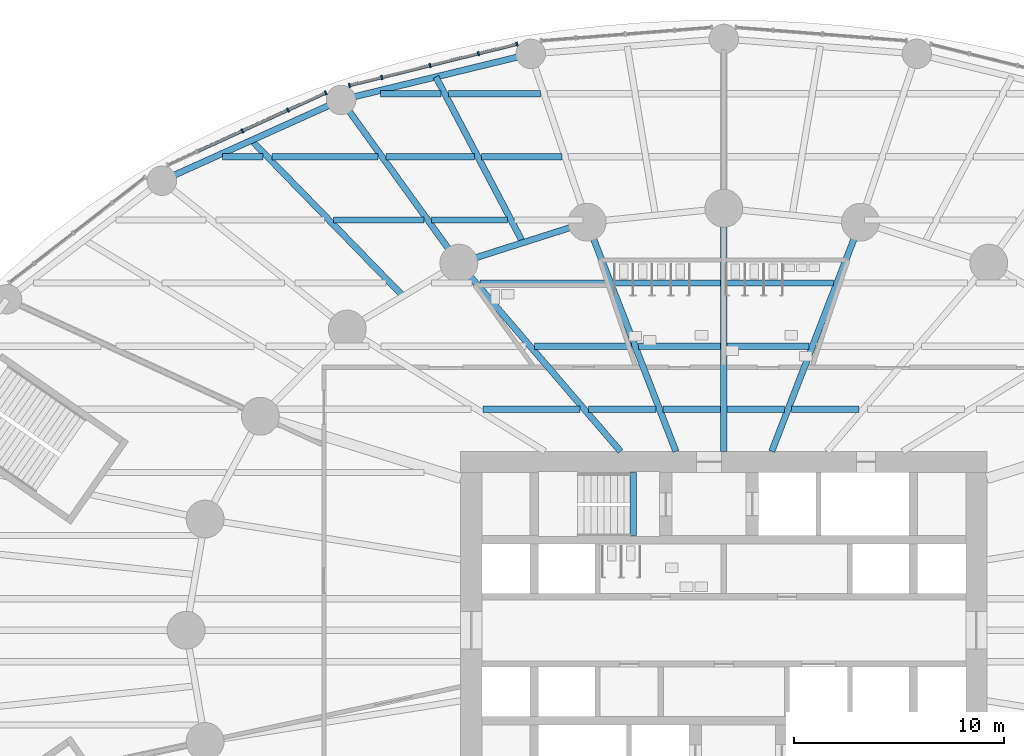
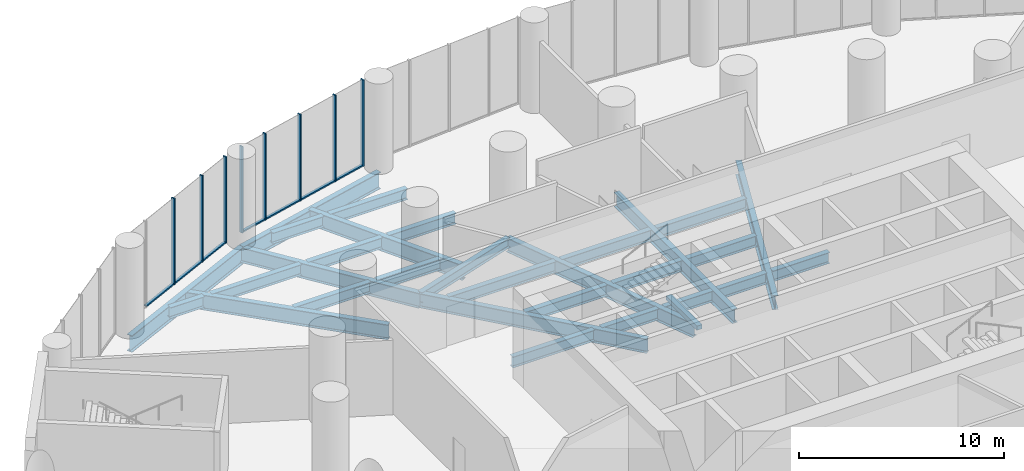
# One storey, part 8 of 21: 30 beams, 15 members, 2 elements without a shape of their own.
"""IFC4 building model written with IfcOpenShell, lengths in metres."""

from ifc_helpers import new_model, si_unit, direction, frame, origin, origin_2d, place, context, subcontext, project, spatial, rectangle, i_section, extrude, material, material_profile, profile_set, type_object, element, aggregate, save


model = new_model("IFC4")

# Units and contexts
model_context = context("Model", 3, precision=1e-05, world=origin(), true_north=direction((0.0, 1.0)))
body_context = subcontext(model_context, "Body", "Model", "MODEL_VIEW")
ifc_project = project(units=[si_unit("LENGTHUNIT", "METRE"), si_unit("AREAUNIT", "SQUARE_METRE"), si_unit("VOLUMEUNIT", "CUBIC_METRE"), si_unit("PLANEANGLEUNIT", "RADIAN"), si_unit("MASSUNIT", "GRAM", prefix="KILO")], contexts=[model_context])

# Site, building, storey
site_placement = place(None, origin())
site = spatial("IfcSite", under=ifc_project, at=site_placement, CompositionType="ELEMENT")
building_placement = place(site_placement, origin())
building = spatial("IfcBuilding", under=site, at=building_placement, Name="Hankou Lantern Tower", CompositionType="ELEMENT")
storey_placement = place(building_placement, frame((0.0, 0.0, 13.800048828125)))
storey = spatial("IfcBuildingStorey", under=building, at=storey_placement, Name="L02", CompositionType="ELEMENT", Elevation=13.800048828125)

# Beams
ifc_material_1 = material(Name="Steel Q355B", Category="steel")
ifc_material_profile_1 = material_profile(ifc_material_1, i_section(OverallWidth=0.300048828125, OverallDepth=0.587890625, WebThickness=0.011962890625, FlangeThickness=0.02001953125, FilletRadius=0.01806640625, at=origin_2d()), Name="HM588x300x12x20")
ifc_profile_set_1 = profile_set([ifc_material_profile_1], Name="Steel Q355B")
beam_type_1 = type_object("IfcBeamType", Name="EB16 RING BEAM HM588x300x12x20", PredefinedType="SPANDREL", material=ifc_profile_set_1)
beam_1_placement = place(storey_placement, frame((-6.494873046875, 19.391357421875, -0.5439453125), z_axis=(-0.952690479428, -0.303942182671, 0.0), x_axis=(0.303942182671, -0.952690479428, 0.0)))
element("IfcBeam", 1, at=beam_1_placement, inside=storey, type_object=beam_type_1, Name="Ring beam R08-R09 L02", PredefinedType="SPANDREL", context=body_context, shape_type="SweptSolid", body=[
    extrude(i_section(OverallWidth=0.300048828125, OverallDepth=0.587890625, WebThickness=0.011962890625, FlangeThickness=0.02001953125, FilletRadius=0.01806640625, at=origin_2d()), origin(), (0.0, 0.0, 1.0), 6.398681640625),
])
ifc_material_2 = material(Name="Concrete C40", Category="concrete")
ifc_material_profile_2 = material_profile(ifc_material_2, rectangle(XDim=0.300048828125, YDim=0.25, at=origin_2d()), Name="RC 300x250")
ifc_profile_set_2 = profile_set([ifc_material_profile_2], Name="Concrete C40")
beam_type_2 = type_object("IfcBeamType", Name="LB1 STAIR LANDING BEAM RC 300x250", PredefinedType="BEAM", material=ifc_profile_set_2)
beam_2_placement = place(storey_placement, frame((-4.300048828125, 4.5, 2.574951171875), z_axis=(0.0, 1.0, 0.0), x_axis=(-1.0, 0.0, 0.0)))
element("IfcBeam", 2, at=beam_2_placement, inside=storey, type_object=beam_type_2, Name="Stair STA landing beam L02", PredefinedType="BEAM", context=body_context, shape_type="SweptSolid", body=[
    extrude(rectangle(XDim=0.300048828125, YDim=0.25, at=origin_2d()), origin(), (0.0, 0.0, 1.0), 3.0),
])

# Curtain wall, members
ifc_material_3 = material(Name="Glass, dark grey tinted laminated", Category="glass")
curtain_wall_type = type_object("IfcCurtainWallType", Name="CWP PODIUM CURTAIN WALL", PredefinedType="USERDEFINED", material=ifc_material_3)
curtain_wall_1_placement = place(storey_placement, origin())
curtain_wall_1 = element("IfcCurtainWall", 3, at=curtain_wall_1_placement, inside=storey, type_object=curtain_wall_type, Name="CWP L02 PC06", ObjectType="PODIUM GLAZING", PredefinedType="USERDEFINED")
ifc_material_4 = material(Name="Aluminium, black anodised", Category="aluminium")
ifc_material_profile_3 = material_profile(ifc_material_4, rectangle(XDim=0.080078125, YDim=0.199951171875, at=origin_2d()), Name="MU2 80X200")
ifc_profile_set_3 = profile_set([ifc_material_profile_3], Name="Aluminium, black anodised")
member_type_1 = type_object("IfcMemberType", Name="MU2 PODIUM MULLION 80X200", PredefinedType="MULLION", material=ifc_profile_set_3)
member_1_placement = place(storey_placement, frame((-9.83056640625, 27.852294921875, 0.0), z_axis=(0.0, 0.0, 1.0), x_axis=(-0.970960955091, -0.239238006364, 0.0)))
member_1 = element("IfcMember", 4, at=member_1_placement, type_object=member_type_1, Name="CWP mullion 1", PredefinedType="MULLION", context=body_context, shape_type="SweptSolid", body=[
    extrude(rectangle(XDim=0.080078125, YDim=0.199951171875, at=origin_2d()), origin(), (0.0, 0.0, 1.0), 5.14990234375),
])
member_2_placement = place(storey_placement, frame((-11.662841796875, 27.40087890625, 0.0), z_axis=(0.0, 0.0, 1.0), x_axis=(-0.970960955091, -0.239238006364, 0.0)))
member_2 = element("IfcMember", 5, at=member_2_placement, type_object=member_type_1, Name="CWP mullion 2", PredefinedType="MULLION", context=body_context, shape_type="SweptSolid", body=[
    extrude(rectangle(XDim=0.080078125, YDim=0.199951171875, at=origin_2d()), origin(), (0.0, 0.0, 1.0), 5.14990234375),
])
member_3_placement = place(storey_placement, frame((-13.95849609375, 26.835205078125, 0.0), z_axis=(0.0, 0.0, 1.0), x_axis=(-0.970960955091, -0.239238006364, 0.0)))
member_3 = element("IfcMember", 6, at=member_3_placement, type_object=member_type_1, Name="CWP mullion 3", PredefinedType="MULLION", context=body_context, shape_type="SweptSolid", body=[
    extrude(rectangle(XDim=0.080078125, YDim=0.199951171875, at=origin_2d()), origin(), (0.0, 0.0, 1.0), 5.14990234375),
])
member_4_placement = place(storey_placement, frame((-16.25439453125, 26.26953125, 0.0), z_axis=(0.0, 0.0, 1.0), x_axis=(-0.970960955091, -0.239238006364, 0.0)))
member_4 = element("IfcMember", 7, at=member_4_placement, type_object=member_type_1, Name="CWP mullion 4", PredefinedType="MULLION", context=body_context, shape_type="SweptSolid", body=[
    extrude(rectangle(XDim=0.080078125, YDim=0.199951171875, at=origin_2d()), origin(), (0.0, 0.0, 1.0), 5.14990234375),
])
member_5_placement = place(storey_placement, frame((-17.785888671875, 25.892333984375, 0.0), z_axis=(0.0, 0.0, 1.0), x_axis=(-0.970960955091, -0.239238006364, 0.0)))
member_5 = element("IfcMember", 8, at=member_5_placement, type_object=member_type_1, Name="CWP mullion 5", PredefinedType="MULLION", context=body_context, shape_type="SweptSolid", body=[
    extrude(rectangle(XDim=0.080078125, YDim=0.199951171875, at=origin_2d()), origin(), (0.0, 0.0, 1.0), 5.14990234375),
])

curtain_wall_2_placement = place(storey_placement, origin())
curtain_wall_2 = element("IfcCurtainWall", 9, at=curtain_wall_2_placement, inside=storey, type_object=curtain_wall_type, Name="CWP L02 PC07", ObjectType="PODIUM GLAZING", PredefinedType="USERDEFINED")
member_6_placement = place(storey_placement, frame((-18.913818359375, 25.537841796875, 0.0), z_axis=(0.0, 0.0, 1.0), x_axis=(-0.909669790944, -0.41533224224, 0.0)))
member_6 = element("IfcMember", 10, at=member_6_placement, type_object=member_type_1, Name="CWP mullion 1", PredefinedType="MULLION", context=body_context, shape_type="SweptSolid", body=[
    extrude(rectangle(XDim=0.080078125, YDim=0.199951171875, at=origin_2d()), origin(), (0.0, 0.0, 1.0), 5.14990234375),
])
member_7_placement = place(storey_placement, frame((-20.711669921875, 24.717041015625, 0.0), z_axis=(0.0, 0.0, 1.0), x_axis=(-0.909669790944, -0.41533224224, 0.0)))
member_7 = element("IfcMember", 11, at=member_7_placement, type_object=member_type_1, Name="CWP mullion 2", PredefinedType="MULLION", context=body_context, shape_type="SweptSolid", body=[
    extrude(rectangle(XDim=0.080078125, YDim=0.199951171875, at=origin_2d()), origin(), (0.0, 0.0, 1.0), 5.14990234375),
])
member_8_placement = place(storey_placement, frame((-22.873046875, 23.730224609375, 0.0), z_axis=(0.0, 0.0, 1.0), x_axis=(-0.909669790944, -0.41533224224, 0.0)))
member_8 = element("IfcMember", 12, at=member_8_placement, type_object=member_type_1, Name="CWP mullion 3", PredefinedType="MULLION", context=body_context, shape_type="SweptSolid", body=[
    extrude(rectangle(XDim=0.080078125, YDim=0.199951171875, at=origin_2d()), origin(), (0.0, 0.0, 1.0), 5.14990234375),
])

# Beams
ifc_material_5 = material(Name="Steel Q355B", Category="steel")
ifc_material_profile_4 = material_profile(ifc_material_5, i_section(OverallWidth=0.300048828125, OverallDepth=0.89990234375, WebThickness=0.01611328125, FlangeThickness=0.028076171875, FilletRadius=0.01806640625, at=origin_2d()), Name="HN900x300x16x28")
ifc_profile_set_4 = profile_set([ifc_material_profile_4], Name="Steel Q355B")
beam_type_3 = type_object("IfcBeamType", Name="PB13 PODIUM RADIAL BEAM HN900x300x16x28", PredefinedType="BEAM", material=ifc_profile_set_4)
beam_3_placement = place(storey_placement, frame((-12.5908203125, 17.446533203125, -0.699951171875), z_axis=(-0.585207097055, 0.810883871807, 0.0), x_axis=(-0.810883871807, -0.585207097055, 0.0)))
element("IfcBeam", 13, at=beam_3_placement, inside=storey, type_object=beam_type_3, Name="Podium radial beam R09 L02", PredefinedType="BEAM", context=body_context, shape_type="SweptSolid", body=[
    extrude(i_section(OverallWidth=0.300048828125, OverallDepth=0.89990234375, WebThickness=0.01611328125, FlangeThickness=0.028076171875, FilletRadius=0.01806640625, at=origin_2d()), origin(), (0.0, 0.0, 1.0), 9.56103515625),
])
ifc_material_6 = material(Name="Steel Q355B", Category="steel")
ifc_material_profile_5 = material_profile(ifc_material_6, i_section(OverallWidth=0.300048828125, OverallDepth=1.0, WebThickness=0.01904296875, FlangeThickness=0.035888671875, FilletRadius=0.01806640625, at=origin_2d()), Name="HN1000x300x19x36")
ifc_profile_set_5 = profile_set([ifc_material_profile_5], Name="Steel Q355B")
beam_type_4 = type_object("IfcBeamType", Name="PR22 PODIUM RING BEAM HN1000x300x19x36", PredefinedType="BEAM", material=ifc_profile_set_5)
beam_4_placement = place(storey_placement, frame((-9.17431640625, 27.39111328125, -0.75), z_axis=(-0.971677242441, -0.23631194748, 0.0), x_axis=(0.23631194748, -0.971677242441, 0.0)))
element("IfcBeam", 14, at=beam_4_placement, inside=storey, type_object=beam_type_4, Name="Podium ring beam R08-R09 L02", PredefinedType="BEAM", context=body_context, shape_type="SweptSolid", body=[
    extrude(i_section(OverallWidth=0.300048828125, OverallDepth=1.0, WebThickness=0.01904296875, FlangeThickness=0.035888671875, FilletRadius=0.01806640625, at=origin_2d()), origin(), (0.0, 0.0, 1.0), 9.2744140625),
])
beam_5_placement = place(storey_placement, frame((-18.18603515625, 25.199462890625, -0.75), z_axis=(-0.911695429723, -0.410866697874, 0.0), x_axis=(0.410866697874, -0.911695429723, 0.0)))
element("IfcBeam", 15, at=beam_5_placement, inside=storey, type_object=beam_type_4, Name="Podium ring beam R09-R10 L02", PredefinedType="BEAM", context=body_context, shape_type="SweptSolid", body=[
    extrude(i_section(OverallWidth=0.300048828125, OverallDepth=1.0, WebThickness=0.01904296875, FlangeThickness=0.035888671875, FilletRadius=0.01806640625, at=origin_2d()), origin(), (0.0, 0.0, 1.0), 9.341064453125),
])
ifc_material_7 = material(Name="Steel Q355B", Category="steel")
ifc_material_profile_6 = material_profile(ifc_material_7, i_section(OverallWidth=0.300048828125, OverallDepth=0.89990234375, WebThickness=0.01611328125, FlangeThickness=0.028076171875, FilletRadius=0.01806640625, at=origin_2d()), Name="HN900x300x16x28")
ifc_profile_set_6 = profile_set([ifc_material_profile_6], Name="Steel Q355B")
beam_type_5 = type_object("IfcBeamType", Name="PS13 PODIUM SECONDARY BEAM HN900x300x16x28", PredefinedType="JOIST", material=ifc_profile_set_6)
beam_6_placement = place(storey_placement, frame((-9.54296875, 18.4189453125, -0.699951171875), z_axis=(-0.465026961303, 0.88529651827, 0.0), x_axis=(-0.88529651827, -0.465026961303, 0.0)))
element("IfcBeam", 16, at=beam_6_placement, inside=storey, type_object=beam_type_5, Name="Podium secondary beam bay R08 L02", PredefinedType="JOIST", context=body_context, shape_type="SweptSolid", body=[
    extrude(i_section(OverallWidth=0.300048828125, OverallDepth=0.89990234375, WebThickness=0.01611328125, FlangeThickness=0.028076171875, FilletRadius=0.01806640625, at=origin_2d()), origin(), (0.0, 0.0, 1.0), 8.896728515625),
])
beam_7_placement = place(storey_placement, frame((-15.2412109375, 15.8798828125, -0.699951171875), z_axis=(-0.697467529957, 0.716616385981, 0.0), x_axis=(-0.716616385981, -0.697467529957, 0.0)))
element("IfcBeam", 17, at=beam_7_placement, inside=storey, type_object=beam_type_5, Name="Podium secondary beam bay R09 L02", PredefinedType="JOIST", context=body_context, shape_type="SweptSolid", body=[
    extrude(i_section(OverallWidth=0.300048828125, OverallDepth=0.89990234375, WebThickness=0.01611328125, FlangeThickness=0.028076171875, FilletRadius=0.01806640625, at=origin_2d()), origin(), (0.0, 0.0, 1.0), 10.3271484375),
])
ifc_material_8 = material(Name="Steel Q355B", Category="steel")
ifc_material_profile_7 = material_profile(ifc_material_8, i_section(OverallWidth=0.300048828125, OverallDepth=0.85009765625, WebThickness=0.01611328125, FlangeThickness=0.027099609375, FilletRadius=0.01806640625, at=origin_2d()), Name="HN850x300x16x27")
ifc_profile_set_7 = profile_set([ifc_material_profile_7], Name="Steel Q355B")
beam_type_6 = type_object("IfcBeamType", Name="RB12 RADIAL BEAM HN850x300x16x27", PredefinedType="BEAM", material=ifc_profile_set_7)
beam_8_placement = place(storey_placement, frame((2.277587890625, 8.5, -0.675048828125), z_axis=(0.361089103374, 0.932531318201, 0.0), x_axis=(-0.932531318201, 0.361089103374, 0.0)))
element("IfcBeam", 18, at=beam_8_placement, inside=storey, type_object=beam_type_6, Name="Radial beam R06 L02", PredefinedType="BEAM", context=body_context, shape_type="SweptSolid", body=[
    extrude(i_section(OverallWidth=0.300048828125, OverallDepth=0.85009765625, WebThickness=0.01611328125, FlangeThickness=0.027099609375, FilletRadius=0.01806640625, at=origin_2d()), origin(), (0.0, 0.0, 1.0), 11.679443359375),
])
beam_9_placement = place(storey_placement, frame((0.0, 8.5, -0.675048828125), z_axis=(0.0, 1.0, 0.0), x_axis=(-1.0, 0.0, 0.0)))
element("IfcBeam", 19, at=beam_9_placement, inside=storey, type_object=beam_type_6, Name="Radial beam R07 L02", PredefinedType="BEAM", context=body_context, shape_type="SweptSolid", body=[
    extrude(i_section(OverallWidth=0.300048828125, OverallDepth=0.85009765625, WebThickness=0.01611328125, FlangeThickness=0.027099609375, FilletRadius=0.01806640625, at=origin_2d()), origin(), (0.0, 0.0, 1.0), 11.550048828125),
])
beam_10_placement = place(storey_placement, frame((-2.277587890625, 8.5, -0.675048828125), z_axis=(-0.361089103374, 0.932531318201, 0.0), x_axis=(-0.932531318201, -0.361089103374, 0.0)))
element("IfcBeam", 20, at=beam_10_placement, inside=storey, type_object=beam_type_6, Name="Radial beam R08 L02", PredefinedType="BEAM", context=body_context, shape_type="SweptSolid", body=[
    extrude(i_section(OverallWidth=0.300048828125, OverallDepth=0.85009765625, WebThickness=0.01611328125, FlangeThickness=0.027099609375, FilletRadius=0.01806640625, at=origin_2d()), origin(), (0.0, 0.0, 1.0), 11.679443359375),
])
beam_11_placement = place(storey_placement, frame((-4.907470703125, 8.5, -0.675048828125), z_axis=(-0.651519061225, 0.758632264579, 0.0), x_axis=(-0.758632264579, -0.651519061225, 0.0)))
element("IfcBeam", 21, at=beam_11_placement, inside=storey, type_object=beam_type_6, Name="Radial beam R09 L02", PredefinedType="BEAM", context=body_context, shape_type="SweptSolid", body=[
    extrude(i_section(OverallWidth=0.300048828125, OverallDepth=0.85009765625, WebThickness=0.01611328125, FlangeThickness=0.027099609375, FilletRadius=0.01806640625, at=origin_2d()), origin(), (0.0, 0.0, 1.0), 11.79296875),
])
ifc_material_9 = material(Name="Steel Q355B", Category="steel")
ifc_material_profile_8 = material_profile(ifc_material_9, i_section(OverallWidth=0.300048828125, OverallDepth=0.64990234375, WebThickness=0.010986328125, FlangeThickness=0.01708984375, FilletRadius=0.01806640625, at=origin_2d()), Name="HN650x300x11x17")
ifc_profile_set_8 = profile_set([ifc_material_profile_8], Name="Steel Q355B")
beam_type_7 = type_object("IfcBeamType", Name="SB8 SECONDARY BEAM HN650x300x11x17", PredefinedType="JOIST", material=ifc_profile_set_8)
beam_12_placement = place(storey_placement, frame((-11.446044921875, 10.5, -0.574951171875), z_axis=(1.0, 0.0, 0.0), x_axis=(0.0, 1.0, 0.0)))
element("IfcBeam", 22, at=beam_12_placement, inside=storey, type_object=beam_type_7, Name="Floor joist J103 L02", PredefinedType="JOIST", context=body_context, shape_type="SweptSolid", body=[
    extrude(i_section(OverallWidth=0.300048828125, OverallDepth=0.64990234375, WebThickness=0.010986328125, FlangeThickness=0.01708984375, FilletRadius=0.01806640625, at=origin_2d()), origin(), (0.0, 0.0, 1.0), 4.623291015625),
])
beam_13_placement = place(storey_placement, frame((-6.427490234375, 10.5, -0.574951171875), z_axis=(1.0, 0.0, 0.0), x_axis=(0.0, 1.0, 0.0)))
element("IfcBeam", 23, at=beam_13_placement, inside=storey, type_object=beam_type_7, Name="Floor joist J104 L02", PredefinedType="JOIST", context=body_context, shape_type="SweptSolid", body=[
    extrude(i_section(OverallWidth=0.300048828125, OverallDepth=0.64990234375, WebThickness=0.010986328125, FlangeThickness=0.01708984375, FilletRadius=0.01806640625, at=origin_2d()), origin(), (0.0, 0.0, 1.0), 3.214599609375),
])
for number, where, z_axis, x_axis, name in (
    (24, (-2.89111328125, 10.5, -0.574951171875), (1.0, 0.0, 0.0), (0.0, 1.0, 0.0), "Floor joist J105 L02"),
    (25, (0.14990234375, 10.5, -0.574951171875), (1.0, 0.0, 0.0), (0.0, 1.0, 0.0), "Floor joist J106 L02"),
):
    element("IfcBeam", number, at=place(storey_placement, frame(where, z_axis=z_axis, x_axis=x_axis)), inside=storey, type_object=beam_type_7, Name=name, PredefinedType="JOIST", context=body_context, shape_type="SweptSolid", body=[
        extrude(i_section(OverallWidth=0.300048828125, OverallDepth=0.64990234375, WebThickness=0.010986328125, FlangeThickness=0.01708984375, FilletRadius=0.01806640625, at=origin_2d()), origin(), (0.0, 0.0, 1.0), 2.7412109375),
    ])
beam_14_placement = place(storey_placement, frame((3.212890625, 10.5, -0.574951171875), z_axis=(1.0, 0.0, 0.0), x_axis=(0.0, 1.0, 0.0)))
element("IfcBeam", 26, at=beam_14_placement, inside=storey, type_object=beam_type_7, Name="Floor joist J107 L02", PredefinedType="JOIST", context=body_context, shape_type="SweptSolid", body=[
    extrude(i_section(OverallWidth=0.300048828125, OverallDepth=0.64990234375, WebThickness=0.010986328125, FlangeThickness=0.01708984375, FilletRadius=0.01806640625, at=origin_2d()), origin(), (0.0, 0.0, 1.0), 3.214599609375),
])
beam_15_placement = place(storey_placement, frame((-9.00390625, 13.5, -0.574951171875), z_axis=(1.0, 0.0, 0.0), x_axis=(0.0, 1.0, 0.0)))
element("IfcBeam", 27, at=beam_15_placement, inside=storey, type_object=beam_type_7, Name="Floor joist J116 L02", PredefinedType="JOIST", context=body_context, shape_type="SweptSolid", body=[
    extrude(i_section(OverallWidth=0.300048828125, OverallDepth=0.64990234375, WebThickness=0.010986328125, FlangeThickness=0.01708984375, FilletRadius=0.01806640625, at=origin_2d()), origin(), (0.0, 0.0, 1.0), 4.62939453125),
])
for number, where, z_axis, x_axis, name in (
    (28, (-4.052734375, 13.5, -0.574951171875), (1.0, 0.0, 0.0), (0.0, 1.0, 0.0), "Floor joist J117 L02"),
    (29, (0.14990234375, 13.5, -0.574951171875), (1.0, 0.0, 0.0), (0.0, 1.0, 0.0), "Floor joist J118 L02"),
):
    element("IfcBeam", number, at=place(storey_placement, frame(where, z_axis=z_axis, x_axis=x_axis)), inside=storey, type_object=beam_type_7, Name=name, PredefinedType="JOIST", context=body_context, shape_type="SweptSolid", body=[
        extrude(i_section(OverallWidth=0.300048828125, OverallDepth=0.64990234375, WebThickness=0.010986328125, FlangeThickness=0.01708984375, FilletRadius=0.01806640625, at=origin_2d()), origin(), (0.0, 0.0, 1.0), 3.90283203125),
    ])
beam_16_placement = place(storey_placement, frame((-11.580322265625, 16.5, -0.574951171875), z_axis=(1.0, 0.0, 0.0), x_axis=(0.0, 1.0, 0.0)))
element("IfcBeam", 30, at=beam_16_placement, inside=storey, type_object=beam_type_7, Name="Floor joist J129 L02", PredefinedType="JOIST", context=body_context, shape_type="SweptSolid", body=[
    extrude(i_section(OverallWidth=0.300048828125, OverallDepth=0.64990234375, WebThickness=0.010986328125, FlangeThickness=0.01708984375, FilletRadius=0.01806640625, at=origin_2d()), origin(), (0.0, 0.0, 1.0), 6.044189453125),
])
for number, where, z_axis, x_axis, name in (
    (31, (-5.21435546875, 16.5, -0.574951171875), (1.0, 0.0, 0.0), (0.0, 1.0, 0.0), "Floor joist J130 L02"),
    (32, (0.14990234375, 16.5, -0.574951171875), (1.0, 0.0, 0.0), (0.0, 1.0, 0.0), "Floor joist J131 L02"),
):
    element("IfcBeam", number, at=place(storey_placement, frame(where, z_axis=z_axis, x_axis=x_axis)), inside=storey, type_object=beam_type_7, Name=name, PredefinedType="JOIST", context=body_context, shape_type="SweptSolid", body=[
        extrude(i_section(OverallWidth=0.300048828125, OverallDepth=0.64990234375, WebThickness=0.010986328125, FlangeThickness=0.01708984375, FilletRadius=0.01806640625, at=origin_2d()), origin(), (0.0, 0.0, 1.0), 5.064453125),
    ])
beam_17_placement = place(storey_placement, frame((-18.55517578125, 19.5, -0.574951171875), z_axis=(1.0, 0.0, 0.0), x_axis=(0.0, 1.0, 0.0)))
element("IfcBeam", 33, at=beam_17_placement, inside=storey, type_object=beam_type_7, Name="Floor joist J139 L02", PredefinedType="JOIST", context=body_context, shape_type="SweptSolid", body=[
    extrude(i_section(OverallWidth=0.300048828125, OverallDepth=0.64990234375, WebThickness=0.010986328125, FlangeThickness=0.01708984375, FilletRadius=0.01806640625, at=origin_2d()), origin(), (0.0, 0.0, 1.0), 4.29736328125),
])
beam_18_placement = place(storey_placement, frame((-13.887939453125, 19.5, -0.574951171875), z_axis=(1.0, 0.0, 0.0), x_axis=(0.0, 1.0, 0.0)))
element("IfcBeam", 34, at=beam_18_placement, inside=storey, type_object=beam_type_7, Name="Floor joist J140 L02", PredefinedType="JOIST", context=body_context, shape_type="SweptSolid", body=[
    extrude(i_section(OverallWidth=0.300048828125, OverallDepth=0.64990234375, WebThickness=0.010986328125, FlangeThickness=0.01708984375, FilletRadius=0.01806640625, at=origin_2d()), origin(), (0.0, 0.0, 1.0), 3.607666015625),
])
beam_19_placement = place(storey_placement, frame((-23.81103515625, 22.5, -0.574951171875), z_axis=(1.0, 0.0, 0.0), x_axis=(0.0, 1.0, 0.0)))
element("IfcBeam", 35, at=beam_19_placement, inside=storey, type_object=beam_type_7, Name="Floor joist J149 L02", PredefinedType="JOIST", context=body_context, shape_type="SweptSolid", body=[
    extrude(i_section(OverallWidth=0.300048828125, OverallDepth=0.64990234375, WebThickness=0.010986328125, FlangeThickness=0.01708984375, FilletRadius=0.01806640625, at=origin_2d()), origin(), (0.0, 0.0, 1.0), 1.917236328125),
])
beam_20_placement = place(storey_placement, frame((-21.47509765625, 22.5, -0.574951171875), z_axis=(1.0, 0.0, 0.0), x_axis=(0.0, 1.0, 0.0)))
element("IfcBeam", 36, at=beam_20_placement, inside=storey, type_object=beam_type_7, Name="Floor joist J150 L02", PredefinedType="JOIST", context=body_context, shape_type="SweptSolid", body=[
    extrude(i_section(OverallWidth=0.300048828125, OverallDepth=0.64990234375, WebThickness=0.010986328125, FlangeThickness=0.01708984375, FilletRadius=0.01806640625, at=origin_2d()), origin(), (0.0, 0.0, 1.0), 5.052001953125),
])
beam_21_placement = place(storey_placement, frame((-16.052978515625, 22.5, -0.574951171875), z_axis=(1.0, 0.0, 0.0), x_axis=(0.0, 1.0, 0.0)))
element("IfcBeam", 37, at=beam_21_placement, inside=storey, type_object=beam_type_7, Name="Floor joist J151 L02", PredefinedType="JOIST", context=body_context, shape_type="SweptSolid", body=[
    extrude(i_section(OverallWidth=0.300048828125, OverallDepth=0.64990234375, WebThickness=0.010986328125, FlangeThickness=0.01708984375, FilletRadius=0.01806640625, at=origin_2d()), origin(), (0.0, 0.0, 1.0), 4.197021484375),
])
beam_22_placement = place(storey_placement, frame((-11.51708984375, 22.5, -0.574951171875), z_axis=(1.0, 0.0, 0.0), x_axis=(0.0, 1.0, 0.0)))
element("IfcBeam", 38, at=beam_22_placement, inside=storey, type_object=beam_type_7, Name="Floor joist J152 L02", PredefinedType="JOIST", context=body_context, shape_type="SweptSolid", body=[
    extrude(i_section(OverallWidth=0.300048828125, OverallDepth=0.64990234375, WebThickness=0.010986328125, FlangeThickness=0.01708984375, FilletRadius=0.01806640625, at=origin_2d()), origin(), (0.0, 0.0, 1.0), 3.82275390625),
])
beam_23_placement = place(storey_placement, frame((-16.3154296875, 25.5, -0.574951171875), z_axis=(1.0, 0.0, 0.0), x_axis=(0.0, 1.0, 0.0)))
element("IfcBeam", 39, at=beam_23_placement, inside=storey, type_object=beam_type_7, Name="Floor joist J161 L02", PredefinedType="JOIST", context=body_context, shape_type="SweptSolid", body=[
    extrude(i_section(OverallWidth=0.300048828125, OverallDepth=0.64990234375, WebThickness=0.010986328125, FlangeThickness=0.01708984375, FilletRadius=0.01806640625, at=origin_2d()), origin(), (0.0, 0.0, 1.0), 2.883544921875),
])
beam_24_placement = place(storey_placement, frame((-13.093017578125, 25.5, -0.574951171875), z_axis=(1.0, 0.0, 0.0), x_axis=(0.0, 1.0, 0.0)))
element("IfcBeam", 40, at=beam_24_placement, inside=storey, type_object=beam_type_7, Name="Floor joist J162 L02", PredefinedType="JOIST", context=body_context, shape_type="SweptSolid", body=[
    extrude(i_section(OverallWidth=0.300048828125, OverallDepth=0.64990234375, WebThickness=0.010986328125, FlangeThickness=0.01708984375, FilletRadius=0.01806640625, at=origin_2d()), origin(), (0.0, 0.0, 1.0), 4.39404296875),
])

# Member
ifc_material_10 = material(Name="Aluminium, black anodised", Category="aluminium")
ifc_material_profile_9 = material_profile(ifc_material_10, rectangle(XDim=0.14990234375, YDim=0.080078125, at=origin_2d()), Name="TR2 150X80")
ifc_profile_set_9 = profile_set([ifc_material_profile_9], Name="Aluminium, black anodised")
member_type_2 = type_object("IfcMemberType", Name="TR2 PODIUM TRANSOM 150X80", PredefinedType="USERDEFINED", material=ifc_profile_set_9)
member_9_placement = place(storey_placement, frame((-9.869384765625, 27.8427734375, 0.0400390625), z_axis=(-0.970955515261, -0.23926008314, 0.0), x_axis=(0.23926008314, -0.970955515261, 0.0)))
member_9 = element("IfcMember", 41, at=member_9_placement, type_object=member_type_2, Name="CWP transom 1", ObjectType="TRANSOM", PredefinedType="USERDEFINED", context=body_context, shape_type="SweptSolid", body=[
    extrude(rectangle(XDim=0.14990234375, YDim=0.080078125, at=origin_2d()), origin(), (0.0, 0.0, 1.0), 1.80712890625),
])

member_10_placement = place(storey_placement, frame((-11.70166015625, 27.391357421875, 0.0400390625), z_axis=(-0.970948059845, -0.239290336378, 0.0), x_axis=(0.239290336378, -0.970948059845, 0.0)))
member_10 = element("IfcMember", 42, at=member_10_placement, type_object=member_type_2, Name="CWP transom 2", ObjectType="TRANSOM", PredefinedType="USERDEFINED", context=body_context, shape_type="SweptSolid", body=[
    extrude(rectangle(XDim=0.14990234375, YDim=0.080078125, at=origin_2d()), origin(), (0.0, 0.0, 1.0), 2.284423828125),
])

member_11_placement = place(storey_placement, frame((-13.99755859375, 26.82568359375, 0.0400390625), z_axis=(-0.970948059845, -0.239290336378, 0.0), x_axis=(0.239290336378, -0.970948059845, 0.0)))
member_11 = element("IfcMember", 43, at=member_11_placement, type_object=member_type_2, Name="CWP transom 3", ObjectType="TRANSOM", PredefinedType="USERDEFINED", context=body_context, shape_type="SweptSolid", body=[
    extrude(rectangle(XDim=0.14990234375, YDim=0.080078125, at=origin_2d()), origin(), (0.0, 0.0, 1.0), 2.284423828125),
])

member_12_placement = place(storey_placement, frame((-16.293212890625, 26.260009765625, 0.0400390625), z_axis=(-0.970971197991, -0.239196431142, 0.0), x_axis=(0.239196431142, -0.970971197991, 0.0)))
member_12 = element("IfcMember", 44, at=member_12_placement, type_object=member_type_2, Name="CWP transom 4", ObjectType="TRANSOM", PredefinedType="USERDEFINED", context=body_context, shape_type="SweptSolid", body=[
    extrude(rectangle(XDim=0.14990234375, YDim=0.080078125, at=origin_2d()), origin(), (0.0, 0.0, 1.0), 1.497314453125),
])

aggregate(curtain_wall_1, [member_1, member_2, member_3, member_4, member_5, member_9, member_10, member_11, member_12])

member_13_placement = place(storey_placement, frame((-18.9501953125, 25.521240234375, 0.0400390625), z_axis=(-0.909677430468, -0.41531550958, 0.0), x_axis=(0.41531550958, -0.909677430468, 0.0)))
member_13 = element("IfcMember", 45, at=member_13_placement, type_object=member_type_2, Name="CWP transom 1", ObjectType="TRANSOM", PredefinedType="USERDEFINED", context=body_context, shape_type="SweptSolid", body=[
    extrude(rectangle(XDim=0.14990234375, YDim=0.080078125, at=origin_2d()), origin(), (0.0, 0.0, 1.0), 1.896484375),
])

member_14_placement = place(storey_placement, frame((-20.748046875, 24.700439453125, 0.0400390625), z_axis=(-0.909669664149, -0.415332519949, 0.0), x_axis=(0.415332519949, -0.909669664149, 0.0)))
member_14 = element("IfcMember", 46, at=member_14_placement, type_object=member_type_2, Name="CWP transom 2", ObjectType="TRANSOM", PredefinedType="USERDEFINED", context=body_context, shape_type="SweptSolid", body=[
    extrude(rectangle(XDim=0.14990234375, YDim=0.080078125, at=origin_2d()), origin(), (0.0, 0.0, 1.0), 2.296142578125),
])

member_15_placement = place(storey_placement, frame((-22.909423828125, 23.713623046875, 0.0400390625), z_axis=(-0.909669664149, -0.415332519949, 0.0), x_axis=(0.415332519949, -0.909669664149, 0.0)))
member_15 = element("IfcMember", 47, at=member_15_placement, type_object=member_type_2, Name="CWP transom 3", ObjectType="TRANSOM", PredefinedType="USERDEFINED", context=body_context, shape_type="SweptSolid", body=[
    extrude(rectangle(XDim=0.14990234375, YDim=0.080078125, at=origin_2d()), origin(), (0.0, 0.0, 1.0), 2.296142578125),
])

aggregate(curtain_wall_2, [member_6, member_7, member_8, member_13, member_14, member_15])

save(model, "model.ifc")
